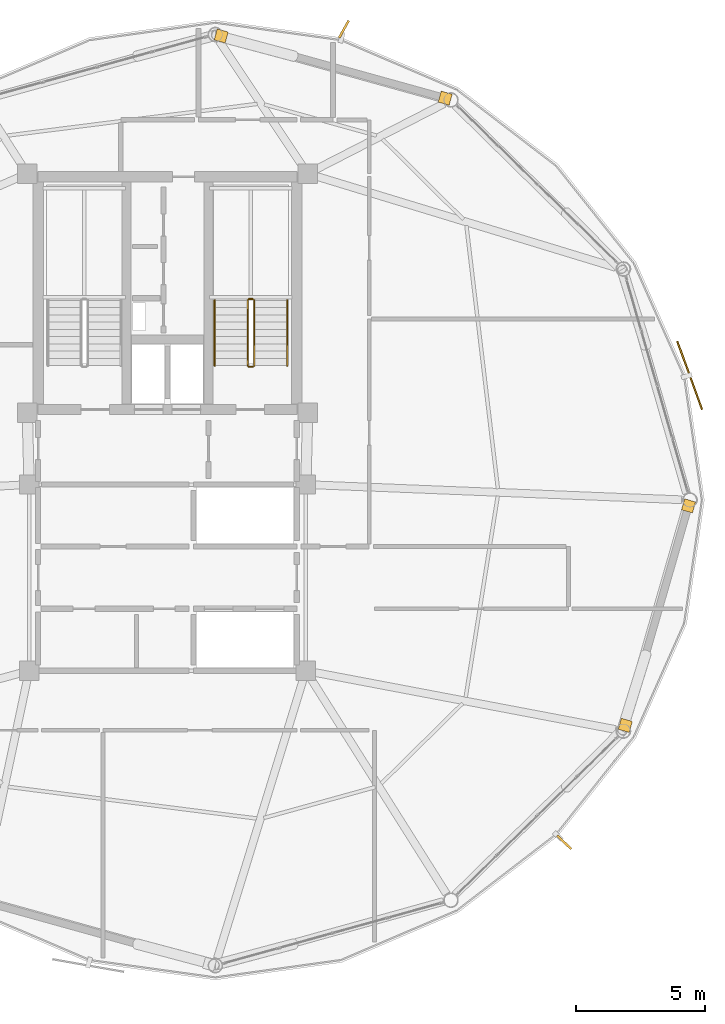
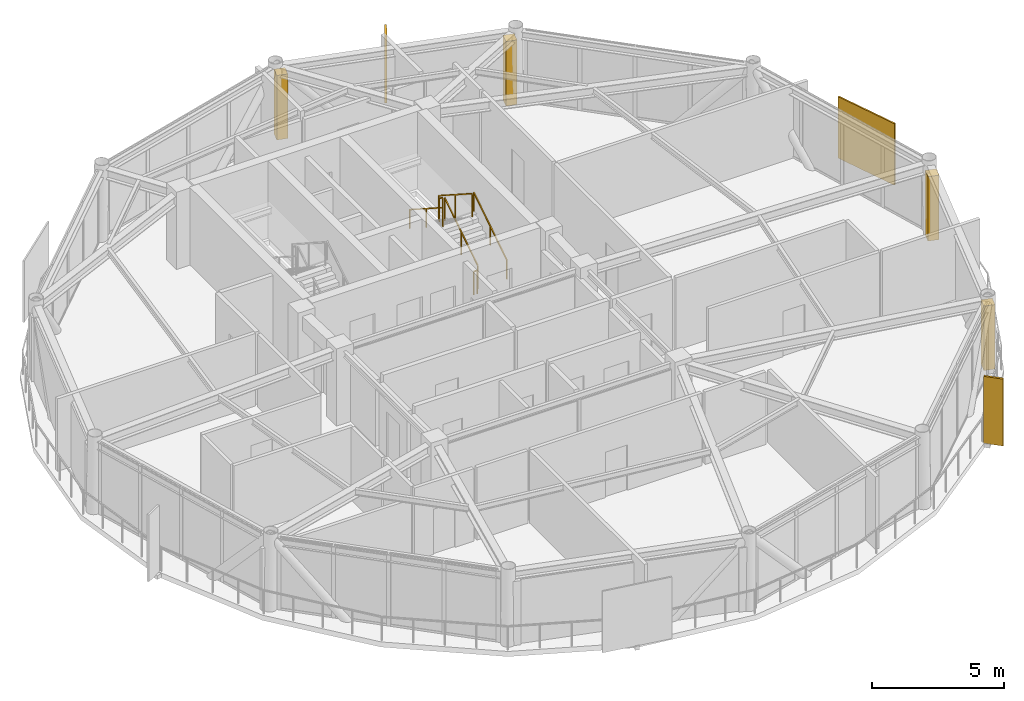
# One storey, part 26 of 26: 6 railings, 4 coverings, 3 shading devices.
"""IFC4 building model written with IfcOpenShell, lengths in metres."""

from ifc_helpers import new_model, si_unit, direction, frame, origin, origin_2d, place, context, subcontext, project, spatial, rectangle, extrude, source, transform, mapped, material, layer, layer_set, type_object, type_shapes, element, save


model = new_model("IFC4")

# Units and contexts
model_context = context("Model", 3, precision=1e-05, world=origin(), true_north=direction((0.0, 1.0)))
body_context = subcontext(model_context, "Body", "Model", "MODEL_VIEW")
ifc_project = project(units=[si_unit("LENGTHUNIT", "METRE"), si_unit("AREAUNIT", "SQUARE_METRE"), si_unit("VOLUMEUNIT", "CUBIC_METRE"), si_unit("PLANEANGLEUNIT", "RADIAN"), si_unit("MASSUNIT", "GRAM", prefix="KILO")], contexts=[model_context])

# Site, building, storey
site_placement = place(None, origin())
site = spatial("IfcSite", under=ifc_project, at=site_placement, CompositionType="ELEMENT")
building_placement = place(site_placement, origin())
building = spatial("IfcBuilding", under=site, at=building_placement, Name="Varnakorn Sky Granary", CompositionType="ELEMENT")
storey_placement = place(building_placement, frame((0.0, 0.0, 256.199951171875)))
storey = spatial("IfcBuildingStorey", under=building, at=storey_placement, Name="L65", CompositionType="ELEMENT", Elevation=256.199951171875)

# Railings
ifc_material_1 = material(Name="Brushed Stainless Steel 316", Category="steel")
railing_type_1 = type_object("IfcRailingType", Name="RL-STAIR-1100", PredefinedType="GUARDRAIL", material=ifc_material_1)
railing_1_placement = place(storey_placement, frame((6.35009765625, 5.199951171875, 0.179931640625)))
element("IfcRailing", 1, at=railing_1_placement, inside=storey, type_object=railing_type_1, Name="L65 ST-2 stair guard 1", PredefinedType="GUARDRAIL", context=body_context, shape_type="SweptSolid", body=[
    extrude(rectangle(XDim=0.048095703125, YDim=0.048095703125, at=origin_2d()), frame((0.0, 0.0, 1.076171875), z_axis=(0.0, 0.841162588446, 0.540782303519), x_axis=(-1.0, 0.0, 0.0)), (0.0, 0.0, 1.0), 2.995849609375),
    extrude(rectangle(XDim=0.0419921875, YDim=0.0419921875, at=origin_2d()), origin(), (0.0, 0.0, 1.0), 1.048095703125),
    extrude(rectangle(XDim=0.0419921875, YDim=0.0419921875, at=origin_2d()), frame((0.0, 1.260009765625, 0.81005859375)), (0.0, 0.0, 1.0), 1.048095703125),
    extrude(rectangle(XDim=0.0419921875, YDim=0.0419921875, at=origin_2d()), frame((0.0, 2.52001953125, 1.6201171875)), (0.0, 0.0, 1.0), 1.048095703125),
])
railing_2_placement = place(storey_placement, frame((6.300048828125, 7.77001953125, 1.800048828125)))
element("IfcRailing", 2, at=railing_2_placement, inside=storey, type_object=railing_type_1, Name="L65 ST-2 stair guard 2", PredefinedType="GUARDRAIL", context=body_context, shape_type="SweptSolid", body=[
    extrude(rectangle(XDim=0.048095703125, YDim=0.048095703125, at=origin_2d()), frame((0.0, 0.0, 1.076171875), z_axis=(-1.0, 0.0, 0.0), x_axis=(0.0, -1.0, 0.0)), (0.0, 0.0, 1.0), 0.150146484375),
    extrude(rectangle(XDim=0.0419921875, YDim=0.0419921875, at=origin_2d()), origin(), (0.0, 0.0, 1.0), 1.048095703125),
    extrude(rectangle(XDim=0.0419921875, YDim=0.0419921875, at=origin_2d()), frame((-0.150146484375, 0.0, 0.0)), (0.0, 0.0, 1.0), 1.048095703125),
])
railing_3_placement = place(storey_placement, frame((6.10009765625, 7.719970703125, 1.97998046875)))
element("IfcRailing", 3, at=railing_3_placement, inside=storey, type_object=railing_type_1, Name="L65 ST-2 stair guard 3", PredefinedType="GUARDRAIL", context=body_context, shape_type="SweptSolid", body=[
    extrude(rectangle(XDim=0.048095703125, YDim=0.048095703125, at=origin_2d()), frame((0.0, 0.0, 1.076171875), z_axis=(0.0, -0.841162588446, 0.540782303519), x_axis=(1.0, 0.0, 0.0)), (0.0, 0.0, 1.0), 2.995849609375),
    extrude(rectangle(XDim=0.0419921875, YDim=0.0419921875, at=origin_2d()), origin(), (0.0, 0.0, 1.0), 1.048095703125),
    extrude(rectangle(XDim=0.0419921875, YDim=0.0419921875, at=origin_2d()), frame((0.0, -1.260009765625, 0.81005859375)), (0.0, 0.0, 1.0), 1.048095703125),
    extrude(rectangle(XDim=0.0419921875, YDim=0.0419921875, at=origin_2d()), frame((0.0, -2.52001953125, 1.6201171875)), (0.0, 0.0, 1.0), 1.048095703125),
])
railing_4_placement = place(storey_placement, frame((6.300048828125, 5.14990234375, 0.0)))
element("IfcRailing", 4, at=railing_4_placement, inside=storey, type_object=railing_type_1, Name="L65 ST-2 stair guard 4", PredefinedType="GUARDRAIL", context=body_context, shape_type="SweptSolid", body=[
    extrude(rectangle(XDim=0.048095703125, YDim=0.048095703125, at=origin_2d()), frame((0.0, 0.0, 1.076171875), z_axis=(-1.0, 0.0, 0.0), x_axis=(0.0, -1.0, 0.0)), (0.0, 0.0, 1.0), 0.150146484375),
    extrude(rectangle(XDim=0.0419921875, YDim=0.0419921875, at=origin_2d()), origin(), (0.0, 0.0, 1.0), 1.048095703125),
    extrude(rectangle(XDim=0.0419921875, YDim=0.0419921875, at=origin_2d()), frame((-0.150146484375, 0.0, 0.0)), (0.0, 0.0, 1.0), 1.048095703125),
])
railing_type_2 = type_object("IfcRailingType", Name="RL-STAIR-920", PredefinedType="HANDRAIL", material=ifc_material_1)
railing_5_placement = place(storey_placement, frame((7.6298828125, 5.199951171875, 0.179931640625)))
element("IfcRailing", 5, at=railing_5_placement, inside=storey, type_object=railing_type_2, Name="L65 ST-2 stair handrail 1", PredefinedType="HANDRAIL", context=body_context, shape_type="SweptSolid", body=[
    extrude(rectangle(XDim=0.048095703125, YDim=0.048095703125, at=origin_2d()), frame((0.0, 0.0, 0.8759765625), z_axis=(0.0, 0.841162588446, 0.540782303519), x_axis=(-1.0, 0.0, 0.0)), (0.0, 0.0, 1.0), 2.995849609375),
    extrude(rectangle(XDim=0.0419921875, YDim=0.0419921875, at=origin_2d()), origin(), (0.0, 0.0, 1.0), 0.847900390625),
    extrude(rectangle(XDim=0.0419921875, YDim=0.0419921875, at=origin_2d()), frame((0.0, 1.260009765625, 0.81005859375)), (0.0, 0.0, 1.0), 0.847900390625),
    extrude(rectangle(XDim=0.0419921875, YDim=0.0419921875, at=origin_2d()), frame((0.0, 2.52001953125, 1.6201171875)), (0.0, 0.0, 1.0), 0.847900390625),
])
railing_6_placement = place(storey_placement, frame((4.820068359375, 7.719970703125, 1.97998046875)))
element("IfcRailing", 6, at=railing_6_placement, inside=storey, type_object=railing_type_2, Name="L65 ST-2 stair handrail 2", PredefinedType="HANDRAIL", context=body_context, shape_type="SweptSolid", body=[
    extrude(rectangle(XDim=0.048095703125, YDim=0.048095703125, at=origin_2d()), frame((0.0, 0.0, 0.8759765625), z_axis=(0.0, -0.841162588446, 0.540782303519), x_axis=(1.0, 0.0, 0.0)), (0.0, 0.0, 1.0), 2.995849609375),
    extrude(rectangle(XDim=0.0419921875, YDim=0.0419921875, at=origin_2d()), origin(), (0.0, 0.0, 1.0), 0.847900390625),
    extrude(rectangle(XDim=0.0419921875, YDim=0.0419921875, at=origin_2d()), frame((0.0, -1.260009765625, 0.81005859375)), (0.0, 0.0, 1.0), 0.847900390625),
    extrude(rectangle(XDim=0.0419921875, YDim=0.0419921875, at=origin_2d()), frame((0.0, -2.52001953125, 1.6201171875)), (0.0, 0.0, 1.0), 0.847900390625),
])

# Coverings
ifc_material_2 = material(Name="Anodised Bronze Aluminium Alloy 6063-T6", Category="aluminium")
ifc_layer = layer(ifc_material_2, 0.050048828125, Name="Anodised Bronze Aluminium Alloy 6063-T6")
ifc_layer_set = layer_set([ifc_layer], Name="Anodised Bronze Aluminium Alloy 6063-T6")
covering_type = type_object("IfcCoveringType", Name="CV-CLAD-50", PredefinedType="CLADDING", material=ifc_layer_set)
shared_shape_1 = source(origin(), body_context, "Body", "SweptSolid", [
    extrude(rectangle(XDim=0.43994140625, YDim=0.43994140625, at=origin_2d()), origin(), (0.0, 0.0, 1.0), 2.989990234375),
])
type_shapes(covering_type, [shared_shape_1])
for number, where, z_axis, x_axis, name in (
    (7, (5.075927734375, 17.9423828125, -0.02001953125), (0.0, 0.0, 1.0), (0.963583796636, -0.267406557249, 0.0), "Bronze Corner Pilaster Closure L65-P03-A"),
    (8, (13.736572265625, 15.53857421875, -0.02001953125), (0.0, 0.0, 1.0), (0.963583796636, -0.267406557249, 0.0), "Bronze Corner Pilaster Closure L65-P03-B"),
    (9, (23.14501953125, -0.225341796875, -0.02001953125), (0.0, 0.0, 1.0), (-0.277146961483, -0.960827540061, 0.0), "Bronze Corner Pilaster Closure L65-P12-A"),
    (10, (20.6982421875, -8.709716796875, -0.02001953125), (0.0, 0.0, 1.0), (-0.277146961483, -0.960827540061, 0.0), "Bronze Corner Pilaster Closure L65-P12-B"),
):
    element("IfcCovering", number, at=place(storey_placement, frame(where, z_axis=z_axis, x_axis=x_axis)), inside=storey, type_object=covering_type, Name=name, PredefinedType="CLADDING", context=body_context, shape_type="MappedRepresentation", body=[
        mapped(shared_shape_1, transform((0.0, 0.0, 0.0), x_axis=(1.0, 0.0, 0.0), y_axis=(0.0, 1.0, 0.0), z_axis=(0.0, 0.0, 1.0), scale=1.0)),
    ])

# Shading devices
shading_device_type_1 = type_object("IfcShadingDeviceType", Name="SH-FIN-03", PredefinedType="USERDEFINED", material=ifc_material_2)
shared_shape_2 = source(origin(), body_context, "Body", "SweptSolid", [
    extrude(rectangle(XDim=0.0849609375, YDim=0.760009765625, at=origin_2d()), origin(), (0.0, 0.0, 1.0), 3.10009765625),
])
type_shapes(shading_device_type_1, [shared_shape_2])
for number, where, z_axis, x_axis, name in (
    (11, (9.82275390625, 18.20703125, -0.0400390625), (0.0, 0.0, 1.0), (-0.874155077379, 0.485646888894, 0.0), "Bronze Solar-Tracking Vertical Blade FIN L65-03"),
    (12, (18.337646484375, -13.230224609375, -0.0400390625), (0.0, 0.0, 1.0), (0.696412565963, 0.717641650107, 0.0), "Bronze Solar-Tracking Vertical Blade FIN L65-11"),
):
    element("IfcShadingDevice", number, at=place(storey_placement, frame(where, z_axis=z_axis, x_axis=x_axis)), inside=storey, type_object=shading_device_type_1, Name=name, ObjectType="FIN", PredefinedType="USERDEFINED", context=body_context, shape_type="MappedRepresentation", body=[
        mapped(shared_shape_2, transform((0.0, 0.0, 0.0), x_axis=(1.0, 0.0, 0.0), y_axis=(0.0, 1.0, 0.0), z_axis=(0.0, 0.0, 1.0), scale=1.0)),
    ])
shading_device_type_2 = type_object("IfcShadingDeviceType", Name="SH-SCR-03", PredefinedType="USERDEFINED", material=ifc_material_2)
shared_shape_3 = source(origin(), body_context, "Body", "SweptSolid", [
    extrude(rectangle(XDim=2.800048828125, YDim=0.06494140625, at=origin_2d()), origin(), (0.0, 0.0, 1.0), 2.85009765625),
])
type_shapes(shading_device_type_2, [shared_shape_3])
shading_device_placement = place(storey_placement, frame((23.1884765625, 4.82080078125, -0.0400390625), z_axis=(0.0, 0.0, 1.0), x_axis=(-0.34166622081, 0.939821362578, 0.0)))
element("IfcShadingDevice", 13, at=shading_device_placement, inside=storey, type_object=shading_device_type_2, Name="Perforated Bronze Solar Screen Panel SCREEN L65-01", ObjectType="SCREEN", PredefinedType="USERDEFINED", context=body_context, shape_type="MappedRepresentation", body=[
    mapped(shared_shape_3, transform((0.0, 0.0, 0.0), x_axis=(1.0, 0.0, 0.0), y_axis=(0.0, 1.0, 0.0), z_axis=(0.0, 0.0, 1.0), scale=1.0)),
])

save(model, "model.ifc")
